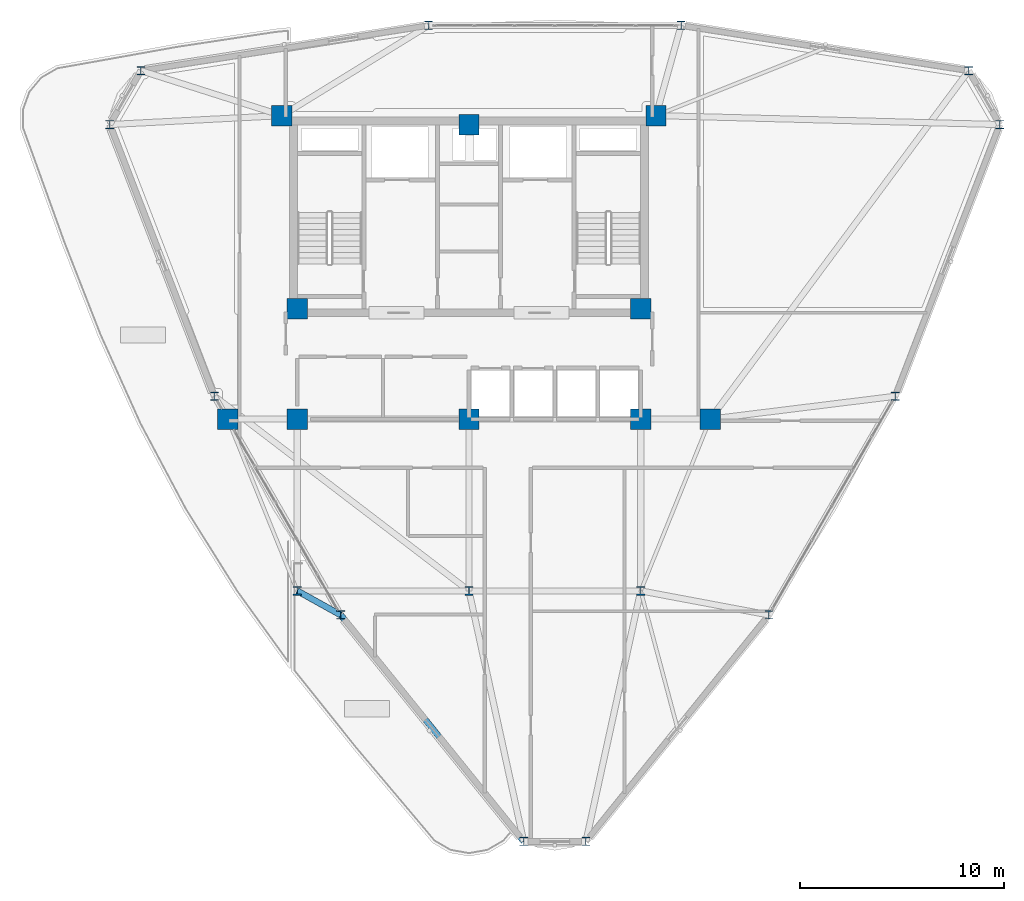
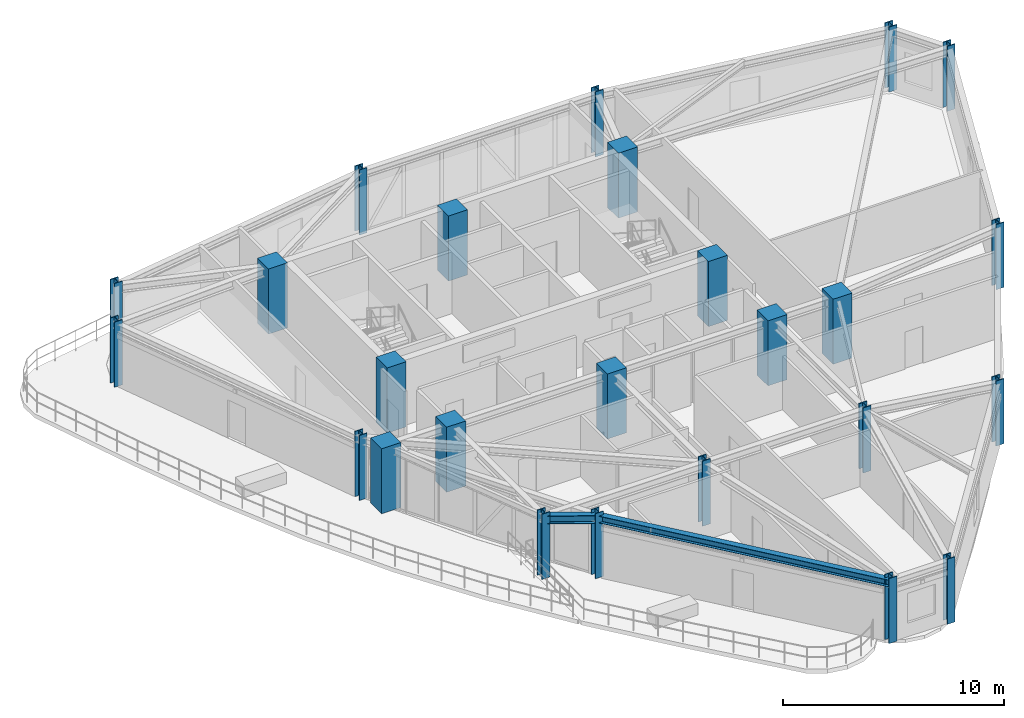
# One storey, part 1 of 19: 25 columns, 2 beams.
"""IFC4 building model written with IfcOpenShell, lengths in metres."""

from ifc_helpers import new_model, si_unit, derived_unit, direction, frame, origin, origin_2d, place, context, subcontext, project, spatial, rectangle, i_section, extrude, source, transform, mapped, material, material_profile, profile_set, type_object, element, save


model = new_model("IFC4")

# Units and contexts
model_context = context("Model", 3, precision=1e-05, world=origin(), true_north=direction((0.0, 1.0)))
body_context = subcontext(model_context, "Body", "Model", "MODEL_VIEW")
ifc_project = project(units=[si_unit("LENGTHUNIT", "METRE"), si_unit("AREAUNIT", "SQUARE_METRE"), si_unit("VOLUMEUNIT", "CUBIC_METRE"), si_unit("PLANEANGLEUNIT", "RADIAN"), si_unit("MASSUNIT", "GRAM", prefix="KILO"), derived_unit("THERMALTRANSMITTANCEUNIT", [(si_unit("POWERUNIT", "WATT"), 1), (si_unit("LENGTHUNIT", "METRE"), -2), (si_unit("THERMODYNAMICTEMPERATUREUNIT", "KELVIN"), -1)])], contexts=[model_context])

# Site, building, storey
site_placement = place(None, origin())
site = spatial("IfcSite", under=ifc_project, at=site_placement, CompositionType="ELEMENT")
building_placement = place(site_placement, origin())
building = spatial("IfcBuilding", under=site, at=building_placement, Name="Korsvarv Bourse and Concert Hall", CompositionType="ELEMENT")
storey_placement = place(building_placement, frame((0.0, 0.0, 205.800048828125)))
storey = spatial("IfcBuildingStorey", under=building, at=storey_placement, Name="L53", CompositionType="ELEMENT", Elevation=205.800048828125)

# Columns
ifc_material_1 = material(Name="Steel S355", Category="steel")
ifc_material_profile_1 = material_profile(ifc_material_1, i_section(OverallWidth=0.412109375, OverallDepth=0.43505859375, WebThickness=0.032958984375, FlangeThickness=0.052978515625, FilletRadius=0.014892578125, at=origin_2d()), Name="HD 400x463")
ifc_profile_set_1 = profile_set([ifc_material_profile_1], Name="Steel S355")
column_type_1 = type_object("IfcColumnType", Name="COL-HD463", PredefinedType="COLUMN", material=ifc_profile_set_1)
shared_shape_1 = source(origin(), body_context, "Body", "SweptSolid", [
    extrude(i_section(OverallWidth=0.412109375, OverallDepth=0.43505859375, WebThickness=0.032958984375, FlangeThickness=0.052978515625, FilletRadius=0.014892578125, at=origin_2d()), origin(), (0.0, 0.0, 1.0), 3.599853515625),
])
for number, where, z_axis, x_axis, name in (
    (1, (27.60009765625, 24.0, 0.0), (0.0, 0.0, 1.0), (1.0, 0.0, 0.0), "L53 column C-09"),
    (2, (44.39990234375, 24.0, 0.0), (0.0, 0.0, 1.0), (1.0, 0.0, 0.0), "L53 column C-09"),
    (3, (36.0, 24.0, 0.0), (0.0, 0.0, 1.0), (1.0, 0.0, 0.0), "L53 column C-09"),
):
    element("IfcColumn", number, at=place(storey_placement, frame(where, z_axis=z_axis, x_axis=x_axis)), inside=storey, type_object=column_type_1, Name=name, PredefinedType="COLUMN", context=body_context, shape_type="MappedRepresentation", body=[
        mapped(shared_shape_1, transform((0.0, 0.0, 0.0), scale=1.0)),
    ])
ifc_material_2 = material(Name="Concrete C55/67", Category="concrete")
ifc_material_profile_2 = material_profile(ifc_material_2, rectangle(XDim=1.0, YDim=1.0, at=origin_2d()), Name="RC 1000x1000")
ifc_profile_set_2 = profile_set([ifc_material_profile_2], Name="Concrete C55/67")
column_type_2 = type_object("IfcColumnType", Name="COL-RC1000", PredefinedType="COLUMN", material=ifc_profile_set_2)
shared_shape_2 = source(origin(), body_context, "Body", "SweptSolid", [
    extrude(rectangle(XDim=1.0, YDim=1.0, at=origin_2d()), origin(), (0.0, 0.0, 1.0), 3.599853515625),
])
for number, where, z_axis, x_axis, name in (
    (4, (26.85009765625, 47.25, 0.0), (0.0, 0.0, 1.0), (1.0, 0.0, 0.0), "L53 column C-03"),
    (5, (45.14990234375, 47.25, 0.0), (0.0, 0.0, 1.0), (1.0, 0.0, 0.0), "L53 column C-03"),
    (6, (27.60009765625, 37.800048828125, 0.0), (0.0, 0.0, 1.0), (1.0, 0.0, 0.0), "L53 column C-03"),
    (7, (44.39990234375, 37.800048828125, 0.0), (0.0, 0.0, 1.0), (1.0, 0.0, 0.0), "L53 column C-03"),
    (8, (27.60009765625, 32.39990234375, 0.0), (0.0, 0.0, 1.0), (1.0, 0.0, 0.0), "L53 column C-03"),
    (9, (44.39990234375, 32.39990234375, 0.0), (0.0, 0.0, 1.0), (1.0, 0.0, 0.0), "L53 column C-03"),
    (10, (36.0, 46.800048828125, 0.0), (0.0, 0.0, 1.0), (1.0, 0.0, 0.0), "L53 column C-03"),
    (11, (36.0, 32.39990234375, 0.0), (0.0, 0.0, 1.0), (1.0, 0.0, 0.0), "L53 column C-03"),
    (12, (24.199951171875, 32.39990234375, 0.0), (0.0, 0.0, 1.0), (1.0, 0.0, 0.0), "L53 column C-03"),
    (13, (47.800048828125, 32.39990234375, 0.0), (0.0, 0.0, 1.0), (1.0, 0.0, 0.0), "L53 column C-03"),
):
    element("IfcColumn", number, at=place(storey_placement, frame(where, z_axis=z_axis, x_axis=x_axis)), inside=storey, type_object=column_type_2, Name=name, PredefinedType="COLUMN", context=body_context, shape_type="MappedRepresentation", body=[
        mapped(shared_shape_2, transform((0.0, 0.0, 0.0), scale=1.0)),
    ])
ifc_material_profile_3 = material_profile(ifc_material_1, i_section(OverallWidth=0.406005859375, OverallDepth=0.416015625, WebThickness=0.027099609375, FlangeThickness=0.0439453125, FilletRadius=0.014892578125, at=origin_2d()), Name="HD 400x382")
ifc_profile_set_3 = profile_set([ifc_material_profile_3], Name="Steel S355")
column_type_3 = type_object("IfcColumnType", Name="COL-HD382", PredefinedType="COLUMN", material=ifc_profile_set_3)
shared_shape_3 = source(origin(), body_context, "Body", "SweptSolid", [
    extrude(i_section(OverallWidth=0.406005859375, OverallDepth=0.416015625, WebThickness=0.027099609375, FlangeThickness=0.0439453125, FilletRadius=0.014892578125, at=origin_2d()), origin(), (0.0, 0.0, 1.0), 3.599853515625),
])
for number, where, z_axis, x_axis, name in (
    (14, (61.97021484375, 46.811279296875, 0.0), (0.0, 0.0, 1.0), (1.0, 0.0, 0.0), "L53 column C-10"),
    (15, (60.447998046875, 49.44775390625, 0.0), (0.0, 0.0, 1.0), (1.0, 0.0, 0.0), "L53 column C-10"),
    (16, (46.376708984375, 51.66162109375, 0.0), (0.0, 0.0, 1.0), (1.0, 0.0, 0.0), "L53 column C-10"),
    (17, (34.023193359375, 51.66162109375, 0.0), (0.0, 0.0, 1.0), (1.0, 0.0, 0.0), "L53 column C-10"),
    (18, (19.951904296875, 49.44775390625, 0.0), (0.0, 0.0, 1.0), (1.0, 0.0, 0.0), "L53 column C-10"),
    (19, (18.429931640625, 46.811279296875, 0.0), (0.0, 0.0, 1.0), (1.0, 0.0, 0.0), "L53 column C-10"),
    (20, (23.548095703125, 33.518310546875, 0.0), (0.0, 0.0, 1.0), (1.0, 0.0, 0.0), "L53 column C-10"),
    (21, (29.724853515625, 22.820068359375, 0.0), (0.0, 0.0, 1.0), (1.0, 0.0, 0.0), "L53 column C-10"),
    (22, (38.677978515625, 11.74072265625, 0.0), (0.0, 0.0, 1.0), (1.0, 0.0, 0.0), "L53 column C-10"),
    (23, (41.72216796875, 11.74072265625, 0.0), (0.0, 0.0, 1.0), (1.0, 0.0, 0.0), "L53 column C-10"),
    (24, (50.675048828125, 22.820068359375, 0.0), (0.0, 0.0, 1.0), (1.0, 0.0, 0.0), "L53 column C-10"),
    (25, (56.851806640625, 33.518310546875, 0.0), (0.0, 0.0, 1.0), (1.0, 0.0, 0.0), "L53 column C-10"),
):
    element("IfcColumn", number, at=place(storey_placement, frame(where, z_axis=z_axis, x_axis=x_axis)), inside=storey, type_object=column_type_3, Name=name, PredefinedType="COLUMN", context=body_context, shape_type="MappedRepresentation", body=[
        mapped(shared_shape_3, transform((0.0, 0.0, 0.0), scale=1.0)),
    ])

# Beams
ifc_material_profile_4 = material_profile(ifc_material_1, i_section(OverallWidth=0.300048828125, OverallDepth=0.389892578125, WebThickness=0.010986328125, FlangeThickness=0.01904296875, FilletRadius=0.02099609375, at=origin_2d()), Name="HEA 400")
ifc_profile_set_4 = profile_set([ifc_material_profile_4], Name="Steel S355")
beam_type_1 = type_object("IfcBeamType", Name="BM-HEA400", PredefinedType="BEAM", material=ifc_profile_set_4)
shared_shape_4 = source(origin(), body_context, "Body", "SweptSolid", [
    extrude(i_section(OverallWidth=0.300048828125, OverallDepth=0.389892578125, WebThickness=0.010986328125, FlangeThickness=0.01904296875, FilletRadius=0.02099609375, at=origin_2d()), origin(), (0.0, 0.0, 1.0), 14.24462890625),
])
beam_1_placement = place(storey_placement, frame((29.724853515625, 22.820068359375, 3.21484375), z_axis=(0.628524989735, -0.777789391338, 0.0), x_axis=(0.777789391338, 0.628524989735, 0.0)))
element("IfcBeam", 26, at=beam_1_placement, inside=storey, type_object=beam_type_1, Name="L53 beam B-11", PredefinedType="BEAM", context=body_context, shape_type="MappedRepresentation", body=[
    mapped(shared_shape_4, transform((0.0, 0.0, 0.0), scale=1.0)),
])
ifc_material_profile_5 = material_profile(ifc_material_1, i_section(OverallWidth=0.300048828125, OverallDepth=0.449951171875, WebThickness=0.013916015625, FlangeThickness=0.02587890625, FilletRadius=0.02099609375, at=origin_2d()), Name="HEB 450")
ifc_profile_set_5 = profile_set([ifc_material_profile_5], Name="Steel S355")
beam_type_2 = type_object("IfcBeamType", Name="BM-HEB450", PredefinedType="SPANDREL", material=ifc_profile_set_5)
shared_shape_5 = source(origin(), body_context, "Body", "SweptSolid", [
    extrude(i_section(OverallWidth=0.300048828125, OverallDepth=0.449951171875, WebThickness=0.013916015625, FlangeThickness=0.02587890625, FilletRadius=0.02099609375, at=origin_2d()), origin(), (0.0, 0.0, 1.0), 2.430419921875),
])
beam_2_placement = place(storey_placement, frame((29.724853515625, 22.820068359375, 3.18505859375), z_axis=(-0.874242552933, 0.485489401163, 0.0), x_axis=(-0.485489401163, -0.874242552933, 0.0)))
element("IfcBeam", 27, at=beam_2_placement, inside=storey, type_object=beam_type_2, Name="L53 beam B-08", PredefinedType="SPANDREL", context=body_context, shape_type="MappedRepresentation", body=[
    mapped(shared_shape_5, transform((0.0, 0.0, 0.0), scale=1.0)),
])

save(model, "model.ifc")
